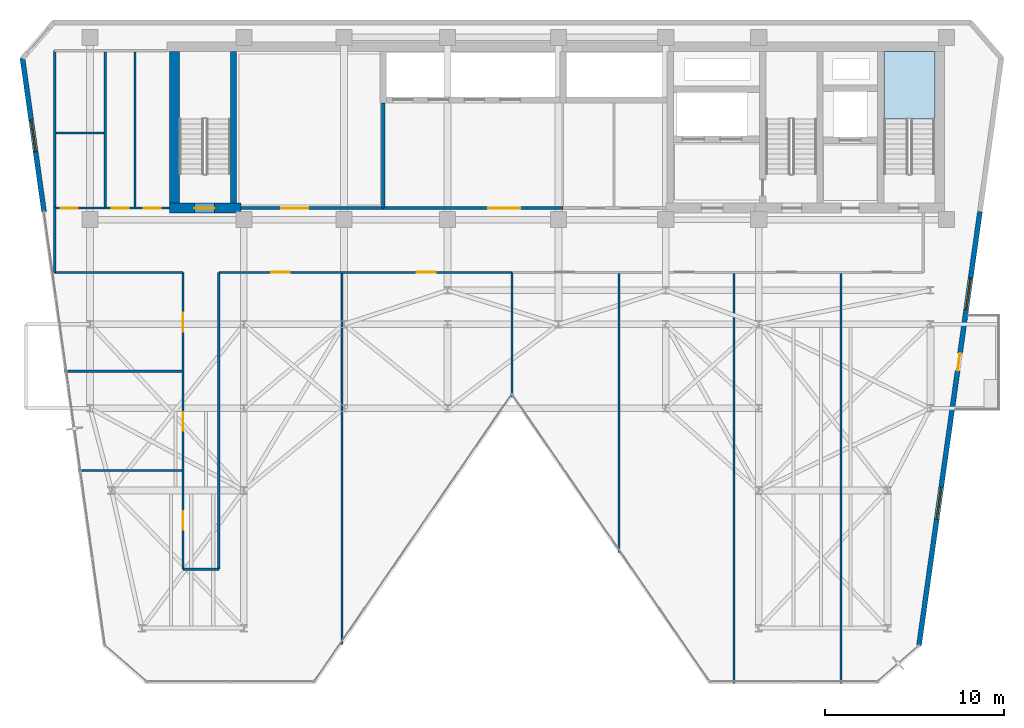
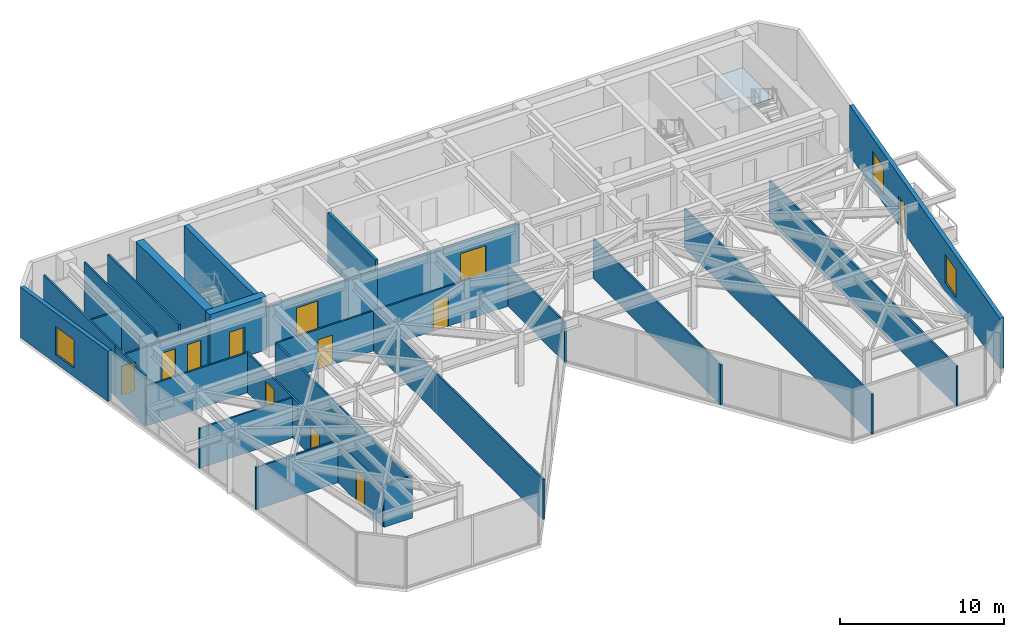
# One storey, part 22 of 26: 26 walls, 12 doors, 3 windows, 1 slab, 15 openings, 1 element without a shape of its own.
"""IFC4 building model written with IfcOpenShell, lengths in metres."""

from ifc_helpers import new_model, si_unit, direction, frame, frame_2d, origin, place, context, subcontext, project, spatial, polyline, rectangle, outline, extrude, material, layer, layer_set, type_object, element, fill, aggregate, save


model = new_model("IFC4")

# Units and contexts
model_context = context("Model", 3, precision=1e-05, world=origin(), true_north=direction((0.0, 1.0)))
body_context = subcontext(model_context, "Body", "Model", "MODEL_VIEW")
ifc_project = project(units=[si_unit("LENGTHUNIT", "METRE"), si_unit("AREAUNIT", "SQUARE_METRE"), si_unit("VOLUMEUNIT", "CUBIC_METRE"), si_unit("PLANEANGLEUNIT", "RADIAN"), si_unit("MASSUNIT", "GRAM", prefix="KILO")], contexts=[model_context])

# Site, building, storey
site_placement = place(None, origin())
site = spatial("IfcSite", under=ifc_project, at=site_placement, CompositionType="ELEMENT")
building_placement = place(site_placement, origin())
building = spatial("IfcBuilding", under=site, at=building_placement, Name="Kravanh Interchange Tower", CompositionType="ELEMENT")
storey_placement = place(building_placement, frame((0.0, 0.0, 212.5)))
storey = spatial("IfcBuildingStorey", under=building, at=storey_placement, Name="L51", CompositionType="ELEMENT", Elevation=212.5)

# Stair, slab
ifc_material_1 = material(Name="Concrete C50/60", Category="concrete")
stair_type = type_object("IfcStairType", Name="Core Fire Exit Dogleg Stair Concrete C50/60", PredefinedType="HALF_TURN_STAIR", material=ifc_material_1)
stair_placement = place(storey_placement, origin())
stair = element("IfcStair", 1, at=stair_placement, inside=storey, type_object=stair_type, Name="L51 Exit Stair ST1", PredefinedType="HALF_TURN_STAIR")
ifc_material_2 = material(Name="Concrete C50/60", Category="concrete")
ifc_layer_1 = layer(ifc_material_2, 0.199951171875)
ifc_layer_set_1 = layer_set([ifc_layer_1], Name="Concrete C50/60 Stair Half-Landing Slab 200mm")
slab_type = type_object("IfcSlabType", Name="Concrete C50/60 Stair Half-Landing Slab 200mm", PredefinedType="LANDING", material=ifc_layer_set_1)
slab_placement = place(storey_placement, frame((0.0, 0.0, 1.800048828125)))
slab = element("IfcSlab", 2, at=slab_placement, type_object=slab_type, Name="ST1 landing 1", PredefinedType="LANDING", context=body_context, shape_type="SweptSolid", body=[
    extrude(outline(polyline([(65.85009765625, 42.97998046875), (65.85009765625, 46.75), (63.0, 46.75), (63.0, 42.97998046875), (65.85009765625, 42.97998046875)])), origin(), (0.0, 0.0, 1.0), 0.199951171875),
])
aggregate(stair, [slab])

# Wall, openings, doors
ifc_material_3 = material(Name="Double Acoustic Gypsum Board and Mineral Wool")
ifc_layer_2 = layer(ifc_material_3, 0.1201171875)
ifc_layer_set_2 = layer_set([ifc_layer_2], Name="Acoustic Office Drywall Partition 120mm")
wall_type_1 = type_object("IfcWallType", Name="Acoustic Office Drywall Partition 120mm", PredefinedType="PARTITIONING", material=ifc_layer_set_2)
wall_1_placement = place(storey_placement, frame((16.6201171875, 38.0, 0.0), z_axis=(0.0, 0.0, 1.0), x_axis=(1.0, 0.0, 0.0)))
wall_1 = element("IfcWall", 3, at=wall_1_placement, inside=storey, type_object=wall_type_1, Name="L51 Restroom Corridor Wall 6", PredefinedType="PARTITIONING", context=body_context, shape_type="SweptSolid", body=[
    extrude(rectangle(XDim=6.429931640625, YDim=0.1201171875, at=frame_2d((3.21484375, 0.0))), origin(), (0.0, 0.0, 1.0), 2.98193359375),
])
opening_1_placement = place(wall_1_placement, frame((0.348876953125, 0.0, 0.0)))
opening_1 = element("IfcOpeningElement", 4, at=opening_1_placement, cuts=wall_1, Name="Opening D-95", PredefinedType="OPENING", context=body_context, shape_type="SweptSolid", body=[
    extrude(rectangle(XDim=0.949951171875, YDim=2.14990234375, at=frame_2d((0.47509765625, 1.074951171875))), frame((0.0, 0.070068359375, 0.0), z_axis=(0.0, -1.0, 0.0), x_axis=(1.0, 0.0, 0.0)), (0.0, 0.0, 1.0), 0.14013671875),
])
opening_2_placement = place(wall_1_placement, frame((3.18505859375, 0.0, 0.0)))
opening_2 = element("IfcOpeningElement", 5, at=opening_2_placement, cuts=wall_1, Name="Opening D-95", PredefinedType="OPENING", context=body_context, shape_type="SweptSolid", body=[
    extrude(rectangle(XDim=0.949951171875, YDim=2.14990234375, at=frame_2d((0.47509765625, 1.074951171875))), frame((0.0, 0.070068359375, 0.0), z_axis=(0.0, -1.0, 0.0), x_axis=(1.0, 0.0, 0.0)), (0.0, 0.0, 1.0), 0.14013671875),
])
opening_3_placement = place(wall_1_placement, frame((4.97509765625, 0.0, 0.0)))
opening_3 = element("IfcOpeningElement", 6, at=opening_3_placement, cuts=wall_1, Name="Opening D-95", PredefinedType="OPENING", context=body_context, shape_type="SweptSolid", body=[
    extrude(rectangle(XDim=0.949951171875, YDim=2.14990234375, at=frame_2d((0.47509765625, 1.074951171875))), frame((0.0, 0.070068359375, 0.0), z_axis=(0.0, -1.0, 0.0), x_axis=(1.0, 0.0, 0.0)), (0.0, 0.0, 1.0), 0.14013671875),
])
ifc_material_4 = material(Name="Laminate Solid-Core Timber", Category="wood")
door_type_1 = type_object("IfcDoorType", Name="Accessible Restroom Door 950x2150", OperationType="NOTDEFINED", PredefinedType="DOOR", material=ifc_material_4)
door_1_placement = place(opening_1_placement, origin())
door_1 = element("IfcDoor", 7, at=door_1_placement, inside=storey, type_object=door_type_1, Name="L51 Accessible WC Door", OperationType="SINGLE_SWING_RIGHT", OverallHeight=2.14990234375, OverallWidth=0.949951171875, PredefinedType="DOOR", context=body_context, shape_type="SweptSolid", body=[
    extrude(rectangle(XDim=0.949951171875, YDim=2.14990234375, at=frame_2d((0.47509765625, 1.074951171875))), frame((0.0, 0.02490234375, 0.0), z_axis=(0.0, -1.0, 0.0), x_axis=(1.0, 0.0, 0.0)), (0.0, 0.0, 1.0), 0.050048828125),
])
fill(opening_1, door_1)
door_2_placement = place(opening_2_placement, origin())
door_2 = element("IfcDoor", 8, at=door_2_placement, inside=storey, type_object=door_type_1, Name="L51 Female WC Door", OperationType="SINGLE_SWING_LEFT", OverallHeight=2.14990234375, OverallWidth=0.949951171875, PredefinedType="DOOR", context=body_context, shape_type="SweptSolid", body=[
    extrude(rectangle(XDim=0.949951171875, YDim=2.14990234375, at=frame_2d((0.47509765625, 1.074951171875))), frame((0.0, 0.02490234375, 0.0), z_axis=(0.0, -1.0, 0.0), x_axis=(1.0, 0.0, 0.0)), (0.0, 0.0, 1.0), 0.050048828125),
])
fill(opening_2, door_2)
door_3_placement = place(opening_3_placement, origin())
door_3 = element("IfcDoor", 9, at=door_3_placement, inside=storey, type_object=door_type_1, Name="L51 Male WC Door", OperationType="SINGLE_SWING_RIGHT", OverallHeight=2.14990234375, OverallWidth=0.949951171875, PredefinedType="DOOR", context=body_context, shape_type="SweptSolid", body=[
    extrude(rectangle(XDim=0.949951171875, YDim=2.14990234375, at=frame_2d((0.47509765625, 1.074951171875))), frame((0.0, 0.02490234375, 0.0), z_axis=(0.0, -1.0, 0.0), x_axis=(1.0, 0.0, 0.0)), (0.0, 0.0, 1.0), 0.050048828125),
])
fill(opening_3, door_3)

# Walls
wall_2_placement = place(storey_placement, frame((16.6201171875, 38.0, 0.0), z_axis=(0.0, 0.0, 1.0), x_axis=(0.0, 1.0, 0.0)))
element("IfcWall", 10, at=wall_2_placement, inside=storey, type_object=wall_type_1, Name="L51 Restroom West Enclosure 7", PredefinedType="PARTITIONING", context=body_context, shape_type="SweptSolid", body=[
    extrude(rectangle(XDim=8.800048828125, YDim=0.1201171875, at=frame_2d((4.39990234375, 0.0))), origin(), (0.0, 0.0, 1.0), 3.7548828125),
])
for number, where, z_axis, x_axis, name in (
    (11, (19.449951171875, 38.068115234375, 0.0), (0.0, 0.0, 1.0), (0.0, 1.0, 0.0), "L51 Interior Partition 9"),
    (12, (21.110107421875, 38.068115234375, 0.0), (0.0, 0.0, 1.0), (0.0, 1.0, 0.0), "L51 Interior Partition 10"),
):
    element("IfcWall", number, at=place(storey_placement, frame(where, z_axis=z_axis, x_axis=x_axis)), inside=storey, type_object=wall_type_1, Name=name, PredefinedType="PARTITIONING", context=body_context, shape_type="SweptSolid", body=[
        extrude(rectangle(XDim=8.663818359375, YDim=0.1201171875, at=frame_2d((4.33203125, 0.0))), origin(), (0.0, 0.0, 1.0), 3.7548828125),
    ])
wall_3_placement = place(storey_placement, frame((16.68798828125, 42.199951171875, 0.0), z_axis=(0.0, 0.0, 1.0), x_axis=(1.0, 0.0, 0.0)))
element("IfcWall", 13, at=wall_3_placement, inside=storey, type_object=wall_type_1, Name="L51 Interior Partition 11", PredefinedType="PARTITIONING", context=body_context, shape_type="SweptSolid", body=[
    extrude(rectangle(XDim=2.694091796875, YDim=0.1201171875, at=frame_2d((1.34716796875, 0.0))), origin(), (0.0, 0.0, 1.0), 2.98193359375),
])
wall_4_placement = place(storey_placement, frame((16.6201171875, 34.39990234375, 0.0), z_axis=(0.0, 0.0, 1.0), x_axis=(1.0, 0.0, 0.0)))
element("IfcWall", 14, at=wall_4_placement, inside=storey, type_object=wall_type_1, Name="L51 Interior Partition 12", PredefinedType="PARTITIONING", context=body_context, shape_type="SweptSolid", body=[
    extrude(rectangle(XDim=7.179931640625, YDim=0.1201171875, at=frame_2d((3.58984375, 0.0))), origin(), (0.0, 0.0, 1.0), 2.98193359375),
])

# Wall, openings, doors
wall_5_placement = place(storey_placement, frame((25.800048828125, 34.39990234375, 0.0), z_axis=(0.0, 0.0, 1.0), x_axis=(1.0, 0.0, 0.0)))
wall_5 = element("IfcWall", 15, at=wall_5_placement, inside=storey, type_object=wall_type_1, Name="L51 Interior Partition 13", PredefinedType="PARTITIONING", context=body_context, shape_type="SweptSolid", body=[
    extrude(rectangle(XDim=16.39990234375, YDim=0.1201171875, at=frame_2d((8.199951171875, 0.0))), origin(), (0.0, 0.0, 1.0), 2.98193359375),
])
opening_4_placement = place(wall_5_placement, frame((2.919921875, 0.0, 0.0)))
opening_4 = element("IfcOpeningElement", 16, at=opening_4_placement, cuts=wall_5, Name="Opening D-105", PredefinedType="OPENING", context=body_context, shape_type="SweptSolid", body=[
    extrude(rectangle(XDim=1.050048828125, YDim=2.199951171875, at=frame_2d((0.52490234375, 1.10009765625))), frame((0.0, 0.070068359375, 0.0), z_axis=(0.0, -1.0, 0.0), x_axis=(1.0, 0.0, 0.0)), (0.0, 0.0, 1.0), 0.14013671875),
])
opening_5_placement = place(wall_5_placement, frame((11.079833984375, 0.0, 0.0)))
opening_5 = element("IfcOpeningElement", 17, at=opening_5_placement, cuts=wall_5, Name="Opening D-105", PredefinedType="OPENING", context=body_context, shape_type="SweptSolid", body=[
    extrude(rectangle(XDim=1.050048828125, YDim=2.199951171875, at=frame_2d((0.52490234375, 1.10009765625))), frame((0.0, 0.070068359375, 0.0), z_axis=(0.0, -1.0, 0.0), x_axis=(1.0, 0.0, 0.0)), (0.0, 0.0, 1.0), 0.14013671875),
])
ifc_material_5 = material(Name="Acoustic Glazed Oak and Aluminium", Category="aluminium")
door_type_2 = type_object("IfcDoorType", Name="Office Workplace Door 1050x2200", OperationType="NOTDEFINED", PredefinedType="DOOR", material=ifc_material_5)
door_4_placement = place(opening_4_placement, origin())
door_4 = element("IfcDoor", 18, at=door_4_placement, inside=storey, type_object=door_type_2, Name="L51 Workplace Office 14A Door", OperationType="SINGLE_SWING_RIGHT", OverallHeight=2.199951171875, OverallWidth=1.050048828125, PredefinedType="DOOR", context=body_context, shape_type="SweptSolid", body=[
    extrude(rectangle(XDim=1.050048828125, YDim=2.199951171875, at=frame_2d((0.52490234375, 1.10009765625))), frame((0.0, 0.02490234375, 0.0), z_axis=(0.0, -1.0, 0.0), x_axis=(1.0, 0.0, 0.0)), (0.0, 0.0, 1.0), 0.050048828125),
])
fill(opening_4, door_4)
door_5_placement = place(opening_5_placement, origin())
door_5 = element("IfcDoor", 19, at=door_5_placement, inside=storey, type_object=door_type_2, Name="L51 Commons Lounge 14A Door", OperationType="SINGLE_SWING_LEFT", OverallHeight=2.199951171875, OverallWidth=1.050048828125, PredefinedType="DOOR", context=body_context, shape_type="SweptSolid", body=[
    extrude(rectangle(XDim=1.050048828125, YDim=2.199951171875, at=frame_2d((0.52490234375, 1.10009765625))), frame((0.0, 0.02490234375, 0.0), z_axis=(0.0, -1.0, 0.0), x_axis=(1.0, 0.0, 0.0)), (0.0, 0.0, 1.0), 0.050048828125),
])
fill(opening_5, door_5)

# Wall
wall_6_placement = place(storey_placement, frame((16.6201171875, 34.39990234375, 0.0), z_axis=(0.0, 0.0, 1.0), x_axis=(0.0, 1.0, 0.0)))
element("IfcWall", 20, at=wall_6_placement, inside=storey, type_object=wall_type_1, Name="L51 Interior Partition 15", PredefinedType="PARTITIONING", context=body_context, shape_type="SweptSolid", body=[
    extrude(rectangle(XDim=3.650146484375, YDim=0.1201171875, at=frame_2d((1.8251953125, 0.0))), origin(), (0.0, 0.0, 1.0), 3.7548828125),
])

# Wall, openings, doors
wall_7_placement = place(storey_placement, frame((23.800048828125, 17.800048828125, 0.0), z_axis=(0.0, 0.0, 1.0), x_axis=(0.0, 1.0, 0.0)))
wall_7 = element("IfcWall", 21, at=wall_7_placement, inside=storey, type_object=wall_type_1, Name="L51 Interior Partition 17", PredefinedType="PARTITIONING", context=body_context, shape_type="SweptSolid", body=[
    extrude(rectangle(XDim=16.599853515625, YDim=0.1201171875, at=frame_2d((8.2998046875, 0.0))), origin(), (0.0, 0.0, 1.0), 2.98193359375),
])
opening_6_placement = place(wall_7_placement, frame((2.19970703125, 0.0, 0.0)))
opening_6 = element("IfcOpeningElement", 22, at=opening_6_placement, cuts=wall_7, Name="Opening D-105", PredefinedType="OPENING", context=body_context, shape_type="SweptSolid", body=[
    extrude(rectangle(XDim=1.050048828125, YDim=2.199951171875, at=frame_2d((0.52490234375, 1.10009765625))), frame((0.0, 0.070068359375, 0.0), z_axis=(0.0, -1.0, 0.0), x_axis=(1.0, 0.0, 0.0)), (0.0, 0.0, 1.0), 0.14013671875),
])
opening_7_placement = place(wall_7_placement, frame((7.734619140625, 0.0, 0.0)))
opening_7 = element("IfcOpeningElement", 23, at=opening_7_placement, cuts=wall_7, Name="Opening D-105", PredefinedType="OPENING", context=body_context, shape_type="SweptSolid", body=[
    extrude(rectangle(XDim=1.050048828125, YDim=2.199951171875, at=frame_2d((0.52490234375, 1.10009765625))), frame((0.0, 0.070068359375, 0.0), z_axis=(0.0, -1.0, 0.0), x_axis=(1.0, 0.0, 0.0)), (0.0, 0.0, 1.0), 0.14013671875),
])
opening_8_placement = place(wall_7_placement, frame((13.284912109375, 0.0, 0.0)))
opening_8 = element("IfcOpeningElement", 24, at=opening_8_placement, cuts=wall_7, Name="Opening D-105", PredefinedType="OPENING", context=body_context, shape_type="SweptSolid", body=[
    extrude(rectangle(XDim=1.050048828125, YDim=2.199951171875, at=frame_2d((0.52490234375, 1.10009765625))), frame((0.0, 0.070068359375, 0.0), z_axis=(0.0, -1.0, 0.0), x_axis=(1.0, 0.0, 0.0)), (0.0, 0.0, 1.0), 0.14013671875),
])
door_6_placement = place(opening_6_placement, origin())
door_6 = element("IfcDoor", 25, at=door_6_placement, inside=storey, type_object=door_type_2, Name="L51 SW Office 14D Door", OperationType="SINGLE_SWING_LEFT", OverallHeight=2.199951171875, OverallWidth=1.050048828125, PredefinedType="DOOR", context=body_context, shape_type="SweptSolid", body=[
    extrude(rectangle(XDim=1.050048828125, YDim=2.199951171875, at=frame_2d((0.52490234375, 1.10009765625))), frame((0.0, 0.02490234375, 0.0), z_axis=(0.0, -1.0, 0.0), x_axis=(1.0, 0.0, 0.0)), (0.0, 0.0, 1.0), 0.050048828125),
])
fill(opening_6, door_6)
door_7_placement = place(opening_7_placement, origin())
door_7 = element("IfcDoor", 26, at=door_7_placement, inside=storey, type_object=door_type_2, Name="L51 West Study 14B Door", OperationType="SINGLE_SWING_RIGHT", OverallHeight=2.199951171875, OverallWidth=1.050048828125, PredefinedType="DOOR", context=body_context, shape_type="SweptSolid", body=[
    extrude(rectangle(XDim=1.050048828125, YDim=2.199951171875, at=frame_2d((0.52490234375, 1.10009765625))), frame((0.0, 0.02490234375, 0.0), z_axis=(0.0, -1.0, 0.0), x_axis=(1.0, 0.0, 0.0)), (0.0, 0.0, 1.0), 0.050048828125),
])
fill(opening_7, door_7)
door_8_placement = place(opening_8_placement, origin())
door_8 = element("IfcDoor", 27, at=door_8_placement, inside=storey, type_object=door_type_2, Name="L51 West Tea Kitchenette Door", OperationType="SINGLE_SWING_LEFT", OverallHeight=2.199951171875, OverallWidth=1.050048828125, PredefinedType="DOOR", context=body_context, shape_type="SweptSolid", body=[
    extrude(rectangle(XDim=1.050048828125, YDim=2.199951171875, at=frame_2d((0.52490234375, 1.10009765625))), frame((0.0, 0.02490234375, 0.0), z_axis=(0.0, -1.0, 0.0), x_axis=(1.0, 0.0, 0.0)), (0.0, 0.0, 1.0), 0.050048828125),
])
fill(opening_8, door_8)

# Walls
wall_8_placement = place(storey_placement, frame((25.800048828125, 17.800048828125, 0.0), z_axis=(0.0, 0.0, 1.0), x_axis=(0.0, 1.0, 0.0)))
element("IfcWall", 28, at=wall_8_placement, inside=storey, type_object=wall_type_1, Name="L51 Interior Partition 18", PredefinedType="PARTITIONING", context=body_context, shape_type="SweptSolid", body=[
    extrude(rectangle(XDim=16.599853515625, YDim=0.1201171875, at=frame_2d((8.2998046875, 0.0))), origin(), (0.0, 0.0, 1.0), 2.98193359375),
])
wall_9_placement = place(storey_placement, frame((23.800048828125, 17.800048828125, 0.0), z_axis=(0.0, 0.0, 1.0), x_axis=(1.0, 0.0, 0.0)))
element("IfcWall", 29, at=wall_9_placement, inside=storey, type_object=wall_type_1, Name="L51 Interior Partition 19", PredefinedType="PARTITIONING", context=body_context, shape_type="SweptSolid", body=[
    extrude(rectangle(XDim=2.0, YDim=0.1201171875, at=frame_2d((1.0, 0.0))), origin(), (0.0, 0.0, 1.0), 3.14697265625),
])
wall_10_placement = place(storey_placement, frame((17.95263671875, 23.330078125, 0.0), z_axis=(0.0, 0.0, 1.0), x_axis=(1.0, 0.0, 0.0)))
element("IfcWall", 30, at=wall_10_placement, inside=storey, type_object=wall_type_1, Name="L51 Interior Partition 20", PredefinedType="PARTITIONING", context=body_context, shape_type="SweptSolid", body=[
    extrude(rectangle(XDim=5.779296875, YDim=0.1201171875, at=frame_2d((2.8896484375, 0.0))), origin(), (0.0, 0.0, 1.0), 3.14697265625),
])
wall_11_placement = place(storey_placement, frame((17.174072265625, 28.8701171875, 0.0), z_axis=(0.0, 0.0, 1.0), x_axis=(1.0, 0.0, 0.0)))
element("IfcWall", 31, at=wall_11_placement, inside=storey, type_object=wall_type_1, Name="L51 Interior Partition 21", PredefinedType="PARTITIONING", context=body_context, shape_type="SweptSolid", body=[
    extrude(rectangle(XDim=6.557861328125, YDim=0.1201171875, at=frame_2d((3.27880859375, 0.0))), origin(), (0.0, 0.0, 1.0), 2.98193359375),
])
wall_12_placement = place(storey_placement, frame((42.199951171875, 27.426513671875, 0.0), z_axis=(0.0, 0.0, 1.0), x_axis=(0.0, 1.0, 0.0)))
element("IfcWall", 32, at=wall_12_placement, inside=storey, type_object=wall_type_1, Name="L51 Interior Partition 22", PredefinedType="PARTITIONING", context=body_context, shape_type="SweptSolid", body=[
    extrude(rectangle(XDim=6.973388671875, YDim=0.1201171875, at=frame_2d((3.48681640625, 0.0))), origin(), (0.0, 0.0, 1.0), 2.98193359375),
])
wall_13_placement = place(storey_placement, frame((32.68994140625, 13.59375, 0.0), z_axis=(0.0, 0.0, 1.0), x_axis=(0.0, 1.0, 0.0)))
element("IfcWall", 33, at=wall_13_placement, inside=storey, type_object=wall_type_1, Name="L51 Interior Partition 23", PredefinedType="PARTITIONING", context=body_context, shape_type="SweptSolid", body=[
    extrude(rectangle(XDim=20.73828125, YDim=0.1201171875, at=frame_2d((10.369140625, 0.0))), origin(), (0.0, 0.0, 1.0), 2.98193359375),
])
wall_14_placement = place(storey_placement, frame((48.179931640625, 18.728271484375, 0.0), z_axis=(0.0, 0.0, 1.0), x_axis=(0.0, 1.0, 0.0)))
element("IfcWall", 34, at=wall_14_placement, inside=storey, type_object=wall_type_1, Name="L51 Interior Partition 24", PredefinedType="PARTITIONING", context=body_context, shape_type="SweptSolid", body=[
    extrude(rectangle(XDim=15.603759765625, YDim=0.1201171875, at=frame_2d((7.8017578125, 0.0))), origin(), (0.0, 0.0, 1.0), 2.98193359375),
])
for number, where, z_axis, x_axis, name in (
    (35, (54.6201171875, 11.4150390625, 0.0), (0.0, 0.0, 1.0), (0.0, 1.0, 0.0), "L51 Interior Partition 25"),
    (36, (60.60009765625, 11.4150390625, 0.0), (0.0, 0.0, 1.0), (0.0, 1.0, 0.0), "L51 Interior Partition 26"),
):
    element("IfcWall", number, at=place(storey_placement, frame(where, z_axis=z_axis, x_axis=x_axis)), inside=storey, type_object=wall_type_1, Name=name, PredefinedType="PARTITIONING", context=body_context, shape_type="SweptSolid", body=[
        extrude(rectangle(XDim=22.9169921875, YDim=0.1201171875, at=frame_2d((11.45849609375, 0.0))), origin(), (0.0, 0.0, 1.0), 2.98193359375),
    ])
ifc_material_6 = material(Name="Concrete C60/75", Category="concrete")
ifc_layer_3 = layer(ifc_material_6, 0.35009765625)
ifc_layer_set_3 = layer_set([ifc_layer_3], Name="Core Shear Wall Concrete C60/75 350mm")
wall_type_2 = type_object("IfcWallType", Name="Core Shear Wall Concrete C60/75 350mm", PredefinedType="SHEAR", material=ifc_layer_set_3)
wall_15_placement = place(storey_placement, frame((26.625, 38.27490234375, 0.0), z_axis=(0.0, 0.0, 1.0), x_axis=(0.0, 1.0, 0.0)))
element("IfcWall", 37, at=wall_15_placement, inside=storey, type_object=wall_type_2, Name="L51 Stair ST3 East Shear Wall", PredefinedType="SHEAR", context=body_context, shape_type="SweptSolid", body=[
    extrude(rectangle(XDim=8.47509765625, YDim=0.35009765625, at=frame_2d((4.237548828125, 0.0))), origin(), (0.0, 0.0, 1.0), 4.0),
])

# Wall, opening, door
ifc_material_7 = material(Name="Concrete C70/85", Category="concrete")
ifc_layer_4 = layer(ifc_material_7, 0.550048828125)
ifc_layer_set_4 = layer_set([ifc_layer_4], Name="Core Shear Wall Concrete C70/85 550mm")
wall_type_3 = type_object("IfcWallType", Name="Core Shear Wall Concrete C70/85 550mm", PredefinedType="SHEAR", material=ifc_layer_set_4)
wall_16_placement = place(storey_placement, frame((23.050048828125, 38.0, 0.0), z_axis=(0.0, 0.0, 1.0), x_axis=(1.0, 0.0, 0.0)))
wall_16 = element("IfcWall", 38, at=wall_16_placement, inside=storey, type_object=wall_type_3, Name="L51 Stair ST3 South Shear Wall", PredefinedType="SHEAR", context=body_context, shape_type="SweptSolid", body=[
    extrude(rectangle(XDim=4.0, YDim=0.550048828125, at=frame_2d((2.0, 0.0))), origin(), (0.0, 0.0, 1.0), 4.0),
])
opening_9_placement = place(wall_16_placement, frame((1.39990234375, 0.0, 0.0)))
opening_9 = element("IfcOpeningElement", 39, at=opening_9_placement, cuts=wall_16, Name="Opening D-STAIR-110", PredefinedType="OPENING", context=body_context, shape_type="SweptSolid", body=[
    extrude(rectangle(XDim=1.10009765625, YDim=2.199951171875, at=frame_2d((0.550048828125, 1.10009765625))), frame((0.0, 0.28515625, 0.0), z_axis=(0.0, -1.0, 0.0), x_axis=(1.0, 0.0, 0.0)), (0.0, 0.0, 1.0), 0.570068359375),
])
ifc_material_8 = material(Name="Structural Steel S355", Category="steel")
door_type_3 = type_object("IfcDoorType", Name="Fire-Rated Exit Stair Door 1100x2200", OperationType="NOTDEFINED", PredefinedType="DOOR", material=ifc_material_8)
door_9_placement = place(opening_9_placement, origin())
door_9 = element("IfcDoor", 40, at=door_9_placement, inside=storey, type_object=door_type_3, Name="L51 Exit Stair ST3 Door", OperationType="SINGLE_SWING_RIGHT", OverallHeight=2.199951171875, OverallWidth=1.10009765625, PredefinedType="DOOR", context=body_context, shape_type="SweptSolid", body=[
    extrude(rectangle(XDim=1.10009765625, YDim=2.199951171875, at=frame_2d((0.550048828125, 1.10009765625))), frame((0.0, 0.02490234375, 0.0), z_axis=(0.0, -1.0, 0.0), x_axis=(1.0, 0.0, 0.0)), (0.0, 0.0, 1.0), 0.050048828125),
])
fill(opening_9, door_9)

# Wall
wall_17_placement = place(storey_placement, frame((23.324951171875, 38.27490234375, 0.0), z_axis=(0.0, 0.0, 1.0), x_axis=(0.0, 1.0, 0.0)))
element("IfcWall", 41, at=wall_17_placement, inside=storey, type_object=wall_type_3, Name="L51 Stair ST3 West Shear Wall", PredefinedType="SHEAR", context=body_context, shape_type="SweptSolid", body=[
    extrude(rectangle(XDim=8.47509765625, YDim=0.550048828125, at=frame_2d((4.237548828125, 0.0))), origin(), (0.0, 0.0, 1.0), 4.0),
])

# Wall, opening, window
ifc_material_9 = material(Name="Insulated Precast Concrete C40/50 with Bronze Cladding", Category="concrete")
ifc_layer_5 = layer(ifc_material_9, 0.280029296875)
ifc_layer_set_5 = layer_set([ifc_layer_5], Name="Exterior Insulated Concrete C40/50 Bronze Spandrel Wall 280mm")
wall_type_4 = type_object("IfcWallType", Name="Exterior Insulated Concrete C40/50 Bronze Spandrel Wall 280mm", PredefinedType="STANDARD", material=ifc_layer_set_5)
wall_18_placement = place(storey_placement, frame((16.02490234375, 37.800048828125, 0.0), z_axis=(0.0, 0.0, 1.0), x_axis=(-0.13918102754, 0.990266954701, 0.0)))
wall_18 = element("IfcWall", 42, at=wall_18_placement, inside=storey, type_object=wall_type_4, Name="L51 Exterior Wall 1", PredefinedType="STANDARD", context=body_context, shape_type="SweptSolid", body=[
    extrude(rectangle(XDim=8.667236328125, YDim=0.280029296875, at=frame_2d((4.33349609375, 0.0))), origin(), (0.0, 0.0, 1.0), 3.7548828125),
])
opening_10_placement = place(wall_18_placement, frame((3.37353515625, 0.0, 0.64990234375)))
opening_10 = element("IfcOpeningElement", 43, at=opening_10_placement, cuts=wall_18, Name="Opening WN-180X210", PredefinedType="OPENING", context=body_context, shape_type="SweptSolid", body=[
    extrude(rectangle(XDim=1.800048828125, YDim=2.10009765625, at=frame_2d((0.89990234375, 1.050048828125))), frame((0.0, 0.14990234375, 0.0), z_axis=(0.0, -1.0, 0.0), x_axis=(1.0, 0.0, 0.0)), (0.0, 0.0, 1.0), 0.300048828125),
])
ifc_material_10 = material(Name="Thermally Broken Bronze Aluminium and Low-E Glass", Category="aluminium")
window_type = type_object("IfcWindowType", Name="Tower Pier Window 1800x2100", PartitioningType="SINGLE_PANEL", PredefinedType="WINDOW", material=ifc_material_10)
window_1_placement = place(opening_10_placement, origin())
window_1 = element("IfcWindow", 44, at=window_1_placement, inside=storey, type_object=window_type, Name="L51 Corner Window 1", OverallHeight=2.10009765625, OverallWidth=1.800048828125, PartitioningType="SINGLE_PANEL", PredefinedType="WINDOW", context=body_context, shape_type="SweptSolid", body=[
    extrude(rectangle(XDim=1.800048828125, YDim=2.10009765625, at=frame_2d((0.89990234375, 1.050048828125))), frame((0.0, 0.030029296875, 0.0), z_axis=(0.0, -1.0, 0.0), x_axis=(1.0, 0.0, 0.0)), (0.0, 0.0, 1.0), 0.06005859375),
])
fill(opening_10, window_1)

# Wall, openings, door, windows
wall_19_placement = place(storey_placement, frame((68.375, 37.800048828125, 0.0), z_axis=(0.0, 0.0, 1.0), x_axis=(-0.139173290738, -0.99026804207, 0.0)))
wall_19 = element("IfcWall", 45, at=wall_19_placement, inside=storey, type_object=wall_type_4, Name="L51 Exterior Wall 6", PredefinedType="STANDARD", context=body_context, shape_type="SweptSolid", body=[
    extrude(rectangle(XDim=24.497802734375, YDim=0.280029296875, at=frame_2d((12.2490234375, 0.0))), origin(), (0.0, 0.0, 1.0), 3.7548828125),
])
opening_11_placement = place(wall_19_placement, frame((7.99609375, 0.0, 0.0)))
opening_11 = element("IfcOpeningElement", 46, at=opening_11_placement, cuts=wall_19, Name="Opening ED-BAL100", PredefinedType="OPENING", context=body_context, shape_type="SweptSolid", body=[
    extrude(rectangle(XDim=1.0, YDim=2.14990234375, at=frame_2d((0.5, 1.074951171875))), frame((0.0, 0.14990234375, 0.0), z_axis=(0.0, -1.0, 0.0), x_axis=(1.0, 0.0, 0.0)), (0.0, 0.0, 1.0), 0.300048828125),
])
opening_12_placement = place(wall_19_placement, frame((3.74853515625, 0.0, 0.64990234375)))
opening_12 = element("IfcOpeningElement", 47, at=opening_12_placement, cuts=wall_19, Name="Opening WN-180X210", PredefinedType="OPENING", context=body_context, shape_type="SweptSolid", body=[
    extrude(rectangle(XDim=1.800048828125, YDim=2.10009765625, at=frame_2d((0.89990234375, 1.050048828125))), frame((0.0, 0.14990234375, 0.0), z_axis=(0.0, -1.0, 0.0), x_axis=(1.0, 0.0, 0.0)), (0.0, 0.0, 1.0), 0.300048828125),
])
opening_13_placement = place(wall_19_placement, frame((15.5712890625, 0.0, 0.64990234375)))
opening_13 = element("IfcOpeningElement", 48, at=opening_13_placement, cuts=wall_19, Name="Opening WN-180X210", PredefinedType="OPENING", context=body_context, shape_type="SweptSolid", body=[
    extrude(rectangle(XDim=1.800048828125, YDim=2.10009765625, at=frame_2d((0.89990234375, 1.050048828125))), frame((0.0, 0.14990234375, 0.0), z_axis=(0.0, -1.0, 0.0), x_axis=(1.0, 0.0, 0.0)), (0.0, 0.0, 1.0), 0.300048828125),
])
ifc_material_11 = material(Name="Thermally Broken Bronze Aluminium and Laminated Glass", Category="aluminium")
door_type_4 = type_object("IfcDoorType", Name="Balcony Glazed Door 1000x2150", OperationType="NOTDEFINED", PredefinedType="DOOR", material=ifc_material_11)
door_10_placement = place(opening_11_placement, origin())
door_10 = element("IfcDoor", 49, at=door_10_placement, inside=storey, type_object=door_type_4, Name="L51 E Tree Balcony Access Door", OperationType="SINGLE_SWING_LEFT", OverallHeight=2.14990234375, OverallWidth=1.0, PredefinedType="DOOR", context=body_context, shape_type="SweptSolid", body=[
    extrude(rectangle(XDim=1.0, YDim=2.14990234375, at=frame_2d((0.5, 1.074951171875))), frame((0.0, 0.02490234375, 0.0), z_axis=(0.0, -1.0, 0.0), x_axis=(1.0, 0.0, 0.0)), (0.0, 0.0, 1.0), 0.050048828125),
])
fill(opening_11, door_10)
window_2_placement = place(opening_12_placement, origin())
window_2 = element("IfcWindow", 50, at=window_2_placement, inside=storey, type_object=window_type, Name="L51 Facade Window 6A", OverallHeight=2.10009765625, OverallWidth=1.800048828125, PartitioningType="SINGLE_PANEL", PredefinedType="WINDOW", context=body_context, shape_type="SweptSolid", body=[
    extrude(rectangle(XDim=1.800048828125, YDim=2.10009765625, at=frame_2d((0.89990234375, 1.050048828125))), frame((0.0, 0.030029296875, 0.0), z_axis=(0.0, -1.0, 0.0), x_axis=(1.0, 0.0, 0.0)), (0.0, 0.0, 1.0), 0.06005859375),
])
fill(opening_12, window_2)
window_3_placement = place(opening_13_placement, origin())
window_3 = element("IfcWindow", 51, at=window_3_placement, inside=storey, type_object=window_type, Name="L51 Facade Window 6B", OverallHeight=2.10009765625, OverallWidth=1.800048828125, PartitioningType="SINGLE_PANEL", PredefinedType="WINDOW", context=body_context, shape_type="SweptSolid", body=[
    extrude(rectangle(XDim=1.800048828125, YDim=2.10009765625, at=frame_2d((0.89990234375, 1.050048828125))), frame((0.0, 0.030029296875, 0.0), z_axis=(0.0, -1.0, 0.0), x_axis=(1.0, 0.0, 0.0)), (0.0, 0.0, 1.0), 0.06005859375),
])
fill(opening_13, window_3)

# Wall
ifc_material_12 = material(Name="Autoclaved Aerated Concrete C30/37 Blockwork", Category="masonry")
ifc_layer_6 = layer(ifc_material_12, 0.179931640625)
ifc_layer_set_6 = layer_set([ifc_layer_6], Name="Fire-Rated Lobby and Corridor Wall Concrete C30/37 180mm")
wall_type_5 = type_object("IfcWallType", Name="Fire-Rated Lobby and Corridor Wall Concrete C30/37 180mm", PredefinedType="STANDARD", material=ifc_layer_set_6)
wall_20_placement = place(storey_placement, frame((35.0, 38.0, 0.0), z_axis=(0.0, 0.0, 1.0), x_axis=(0.0, 1.0, 0.0)))
element("IfcWall", 52, at=wall_20_placement, inside=storey, type_object=wall_type_5, Name="L51 Interior Partition 4", PredefinedType="STANDARD", context=body_context, shape_type="SweptSolid", body=[
    extrude(rectangle(XDim=5.875, YDim=0.179931640625, at=frame_2d((2.9375, 0.0))), origin(), (0.0, 0.0, 1.0), 3.7548828125),
])

# Wall, opening, door
wall_21_placement = place(storey_placement, frame((35.0, 38.0, 0.0), z_axis=(0.0, 0.0, 1.0), x_axis=(1.0, 0.0, 0.0)))
wall_21 = element("IfcWall", 53, at=wall_21_placement, inside=storey, type_object=wall_type_5, Name="L51 Interior Partition 5", PredefinedType="STANDARD", context=body_context, shape_type="SweptSolid", body=[
    extrude(rectangle(XDim=10.050048828125, YDim=0.179931640625, at=frame_2d((5.02490234375, 0.0))), origin(), (0.0, 0.0, 1.0), 2.98193359375),
])
opening_14_placement = place(wall_21_placement, frame((5.85791015625, 0.0, 0.0)))
opening_14 = element("IfcOpeningElement", 54, at=opening_14_placement, cuts=wall_21, Name="Opening DBL-180", PredefinedType="OPENING", context=body_context, shape_type="SweptSolid", body=[
    extrude(rectangle(XDim=1.800048828125, YDim=2.199951171875, at=frame_2d((0.89990234375, 1.10009765625))), frame((0.0, 0.10009765625, 0.0), z_axis=(0.0, -1.0, 0.0), x_axis=(1.0, 0.0, 0.0)), (0.0, 0.0, 1.0), 0.199951171875),
])
ifc_material_13 = material(Name="Structural Steel S355", Category="steel")
door_type_5 = type_object("IfcDoorType", Name="Lift Lobby Double Fire Door 1800x2200", OperationType="DOUBLE_DOOR_SINGLE_SWING", PredefinedType="DOOR", material=ifc_material_13)
door_11_placement = place(opening_14_placement, origin())
door_11 = element("IfcDoor", 55, at=door_11_placement, inside=storey, type_object=door_type_5, Name="L51 Mid-Rise Lift Lobby Door", OperationType="DOUBLE_DOOR_SINGLE_SWING", OverallHeight=2.199951171875, OverallWidth=1.800048828125, PredefinedType="DOOR", context=body_context, shape_type="SweptSolid", body=[
    extrude(rectangle(XDim=1.800048828125, YDim=2.199951171875, at=frame_2d((0.89990234375, 1.10009765625))), frame((0.0, 0.02490234375, 0.0), z_axis=(0.0, -1.0, 0.0), x_axis=(1.0, 0.0, 0.0)), (0.0, 0.0, 1.0), 0.050048828125),
])
fill(opening_14, door_11)

ifc_material_14 = material(Name="Twin Stud Acoustic Gypsum Board Wall")
ifc_layer_7 = layer(ifc_material_14, 0.14990234375)
ifc_layer_set_7 = layer_set([ifc_layer_7], Name="Medium-Duty Acoustic Partition 150mm")
wall_type_6 = type_object("IfcWallType", Name="Medium-Duty Acoustic Partition 150mm", PredefinedType="PARTITIONING", material=ifc_layer_set_7)
wall_22_placement = place(storey_placement, frame((27.050048828125, 38.0, 0.0), z_axis=(0.0, 0.0, 1.0), x_axis=(1.0, 0.0, 0.0)))
wall_22 = element("IfcWall", 56, at=wall_22_placement, inside=storey, type_object=wall_type_6, Name="L51 Interior Partition 3", PredefinedType="PARTITIONING", context=body_context, shape_type="SweptSolid", body=[
    extrude(rectangle(XDim=7.949951171875, YDim=0.14990234375, at=frame_2d((3.97509765625, 0.0))), origin(), (0.0, 0.0, 1.0), 2.98193359375),
])
opening_15_placement = place(wall_22_placement, frame((2.25, 0.0, 0.0)))
opening_15 = element("IfcOpeningElement", 57, at=opening_15_placement, cuts=wall_22, Name="Opening DBL-150", PredefinedType="OPENING", context=body_context, shape_type="SweptSolid", body=[
    extrude(rectangle(XDim=1.5, YDim=2.199951171875, at=frame_2d((0.75, 1.10009765625))), frame((0.0, 0.0849609375, 0.0), z_axis=(0.0, -1.0, 0.0), x_axis=(1.0, 0.0, 0.0)), (0.0, 0.0, 1.0), 0.169921875),
])
ifc_material_15 = material(Name="Acoustic Timber and Toughened Glass", Category="wood")
door_type_6 = type_object("IfcDoorType", Name="Conference Hall Double Door 1500x2200", OperationType="DOUBLE_DOOR_SINGLE_SWING", PredefinedType="DOOR", material=ifc_material_15)
door_12_placement = place(opening_15_placement, origin())
door_12 = element("IfcDoor", 58, at=door_12_placement, inside=storey, type_object=door_type_6, Name="L51 Core Wellness Studio Door", OperationType="DOUBLE_DOOR_SINGLE_SWING", OverallHeight=2.199951171875, OverallWidth=1.5, PredefinedType="DOOR", context=body_context, shape_type="SweptSolid", body=[
    extrude(rectangle(XDim=1.5, YDim=2.199951171875, at=frame_2d((0.75, 1.10009765625))), frame((0.0, 0.02490234375, 0.0), z_axis=(0.0, -1.0, 0.0), x_axis=(1.0, 0.0, 0.0)), (0.0, 0.0, 1.0), 0.050048828125),
])
fill(opening_15, door_12)

save(model, "model.ifc")
